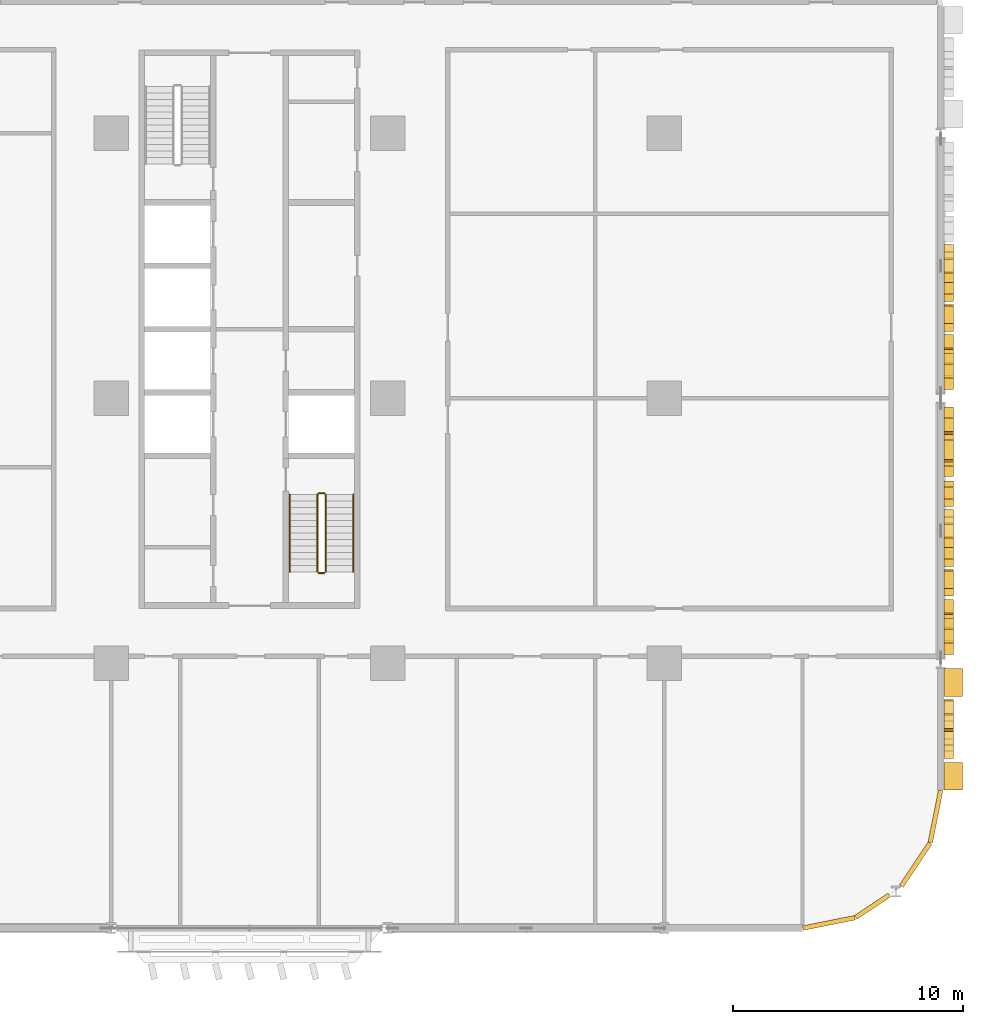
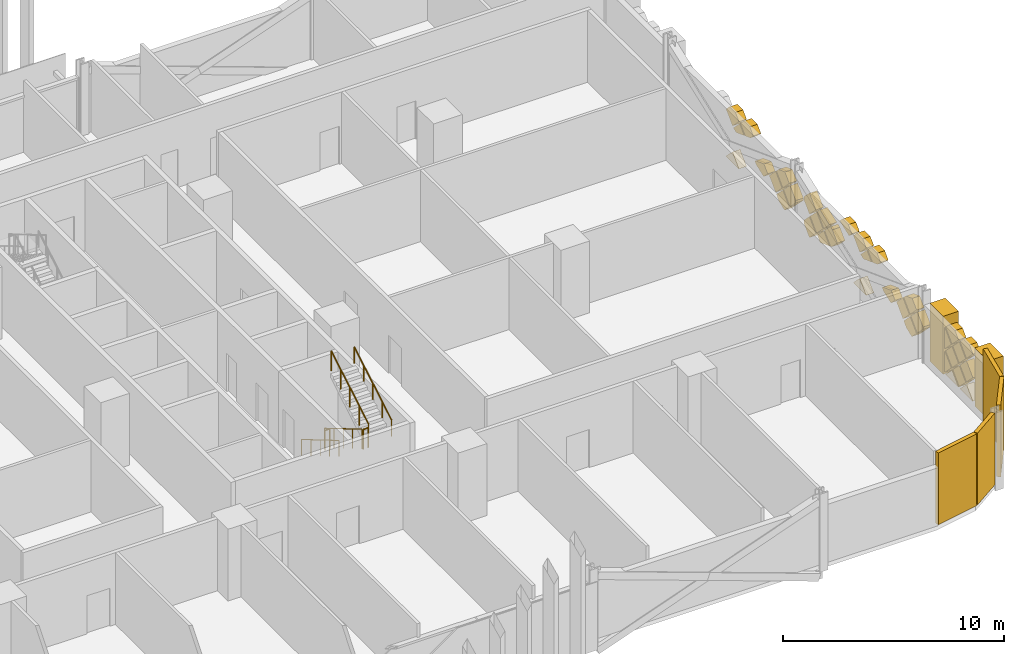
# One storey, part 27 of 29: 41 coverings, 6 railings.
"""IFC4 building model written with IfcOpenShell, lengths in metres."""

from ifc_helpers import new_model, si_unit, direction, frame, origin, origin_2d, place, context, subcontext, project, spatial, polyline, rectangle, circle, outline, extrude, material, layer, layer_set, type_object, element, save


model = new_model("IFC4")

# Units and contexts
model_context = context("Model", 3, precision=1e-05, world=origin(), true_north=direction((0.0, 1.0)))
body_context = subcontext(model_context, "Body", "Model", "MODEL_VIEW")
ifc_project = project(units=[si_unit("LENGTHUNIT", "METRE"), si_unit("AREAUNIT", "SQUARE_METRE"), si_unit("VOLUMEUNIT", "CUBIC_METRE"), si_unit("PLANEANGLEUNIT", "RADIAN"), si_unit("MASSUNIT", "GRAM", prefix="KILO")], contexts=[model_context])

# Site, building, storey
site_placement = place(None, origin())
site = spatial("IfcSite", under=ifc_project, at=site_placement, CompositionType="ELEMENT")
building_placement = place(site_placement, origin())
building = spatial("IfcBuilding", under=site, at=building_placement, Name="Mahtab Terrace Research Tower", CompositionType="ELEMENT")
storey_placement = place(building_placement, frame((0.0, 0.0, 46.0)))
storey = spatial("IfcBuildingStorey", under=building, at=storey_placement, Name="L10", CompositionType="ELEMENT", Elevation=46.0)

# Coverings
ifc_material_1 = material(Name="Black aluminium cladding panel", Category="aluminium")
ifc_layer_1 = layer(ifc_material_1, 0.199951171875)
ifc_layer_set_1 = layer_set([ifc_layer_1], Name="Black metal corner cladding 200")
covering_type_1 = type_object("IfcCoveringType", Name="Black metal corner cladding 200", PredefinedType="CLADDING", material=ifc_layer_set_1)
covering_1_placement = place(storey_placement, frame((49.14794921875, -22.771484375, 0.0), z_axis=(0.0, 0.0, 1.0), x_axis=(0.980760981187, 0.195212442692, 0.0)))
element("IfcCovering", 1, at=covering_1_placement, inside=storey, type_object=covering_type_1, Name="Corner cladding L10 31", PredefinedType="CLADDING", context=body_context, shape_type="SweptSolid", body=[
    extrude(rectangle(XDim=2.30126953125, YDim=0.199951171875, at=origin_2d()), origin(), (0.0, 0.0, 1.0), 3.9599609375),
])
covering_2_placement = place(storey_placement, frame((51.0380859375, -22.047607421875, 0.0), z_axis=(0.0, 0.0, 1.0), x_axis=(0.831655794326, 0.555291490808, 0.0)))
element("IfcCovering", 2, at=covering_2_placement, inside=storey, type_object=covering_type_1, Name="Corner cladding L10 32", PredefinedType="CLADDING", context=body_context, shape_type="SweptSolid", body=[
    extrude(rectangle(XDim=1.74462890625, YDim=0.199951171875, at=origin_2d()), origin(), (0.0, 0.0, 1.0), 3.9599609375),
])
covering_3_placement = place(storey_placement, frame((52.911376953125, -20.2421875, 0.0), z_axis=(0.0, 0.0, 1.0), x_axis=(0.555291490808, 0.831655794326, 0.0)))
element("IfcCovering", 3, at=covering_3_placement, inside=storey, type_object=covering_type_1, Name="Corner cladding L10 33", PredefinedType="CLADDING", context=body_context, shape_type="SweptSolid", body=[
    extrude(rectangle(XDim=2.235595703125, YDim=0.199951171875, at=origin_2d()), origin(), (0.0, 0.0, 1.0), 3.9599609375),
])
covering_4_placement = place(storey_placement, frame((53.771484375, -18.14794921875, 0.0), z_axis=(0.0, 0.0, 1.0), x_axis=(0.195212442692, 0.980760981187, 0.0)))
element("IfcCovering", 4, at=covering_4_placement, inside=storey, type_object=covering_type_1, Name="Corner cladding L10 34", PredefinedType="CLADDING", context=body_context, shape_type="SweptSolid", body=[
    extrude(rectangle(XDim=2.30126953125, YDim=0.199951171875, at=origin_2d()), origin(), (0.0, 0.0, 1.0), 3.9599609375),
])
ifc_material_2 = material(Name="Bronze anodised aluminium", Category="aluminium")
ifc_layer_2 = layer(ifc_material_2, 0.39990234375)
ifc_layer_set_2 = layer_set([ifc_layer_2], Name="Mashrabiya relief panel 400")
covering_type_2 = type_object("IfcCoveringType", Name="Mashrabiya relief panel 400", PredefinedType="CLADDING", material=ifc_layer_set_2)
covering_5_placement = place(storey_placement, frame((54.14990234375, -15.6298828125, 0.14990234375), z_axis=(-1.0, 0.0, 0.0), x_axis=(0.0, 0.706957932274, 0.707255598772)))
element("IfcCovering", 5, at=covering_5_placement, inside=storey, type_object=covering_type_2, Name="Mashrabiya lattice cell L10 E35.1", PredefinedType="CLADDING", context=body_context, shape_type="SweptSolid", body=[
    extrude(outline(polyline([(0.0, 0.0), (0.8201817362875763, 0.0), (0.8200090664636573, 0.8203543334390104), (0.7987751838156829, 0.8201772305935179), (-4.43302157367674e-06, 0.021061285496540252), (0.0, 0.0)])), origin(), (0.0, 0.0, -1.0), 0.39990234375),
])
covering_6_placement = place(storey_placement, frame((54.14990234375, -15.050048828125, 2.030029296875), z_axis=(-1.0, 0.0, 0.0), x_axis=(0.0, 0.707106781187, -0.707106781187)))
element("IfcCovering", 6, at=covering_6_placement, inside=storey, type_object=covering_type_2, Name="Mashrabiya lattice cell L10 E35.2", PredefinedType="CLADDING", context=body_context, shape_type="SweptSolid", body=[
    extrude(outline(polyline([(0.0, 0.0), (0.8203543516109556, 0.0), (0.820181718119455, 0.820181718119455), (0.0001726334915006511, 0.820181718119455), (0.0, 0.0)])), origin(), (0.0, 0.0, -1.0), 0.39990234375),
])
covering_7_placement = place(storey_placement, frame((54.14990234375, -14.469970703125, 2.75), z_axis=(-1.0, 0.0, 0.0), x_axis=(0.0, -0.707106781187, -0.707106781187)))
element("IfcCovering", 7, at=covering_7_placement, inside=storey, type_object=covering_type_2, Name="Mashrabiya lattice cell L10 E35.3", PredefinedType="CLADDING", context=body_context, shape_type="SweptSolid", body=[
    extrude(outline(polyline([(0.0, 0.0), (0.8203543516109556, 0.0), (0.820181718119455, 0.820181718119455), (0.37047147276033476, 0.8203543516109556), (0.0, 0.44988287885062084), (0.0, 0.0)])), origin(), (0.0, 0.0, -1.0), 0.39990234375),
])
for number, where, z_axis, x_axis, name in (
    (8, (54.14990234375, -14.39990234375, 1.3798828125), (-1.0, 0.0, 0.0), (0.0, 0.707106781187, -0.707106781187), "Mashrabiya lattice cell L10 E35.4"),
    (9, (54.14990234375, -14.39990234375, 2.679931640625), (-1.0, 0.0, 0.0), (0.0, 0.707106781187, -0.707106781187), "Mashrabiya lattice cell L10 E35.5"),
):
    element("IfcCovering", number, at=place(storey_placement, frame(where, z_axis=z_axis, x_axis=x_axis)), inside=storey, type_object=covering_type_2, Name=name, PredefinedType="CLADDING", context=body_context, shape_type="SweptSolid", body=[
        extrude(outline(polyline([(0.0, 0.0), (0.8200090846279543, 0.0), (0.820181718119455, 0.820181718119455), (-0.0001726334915006511, 0.820181718119455), (0.0, 0.0)])), origin(), (0.0, 0.0, -1.0), 0.39990234375),
    ])
covering_8_placement = place(storey_placement, frame((54.14990234375, -14.330078125, 0.14990234375), z_axis=(-1.0, 0.0, 0.0), x_axis=(0.0, 0.707106781187, 0.707106781187)))
element("IfcCovering", 10, at=covering_8_placement, inside=storey, type_object=covering_type_2, Name="Mashrabiya lattice cell L10 E35.6", PredefinedType="CLADDING", context=body_context, shape_type="SweptSolid", body=[
    extrude(outline(polyline([(0.0, 0.0), (0.8203543516109556, 0.0), (0.8203543516109556, 0.8203543516109556), (0.7991204321563791, 0.820181718119455), (0.00017263349150062335, 0.021233919454576502), (0.0, 0.0)])), origin(), (0.0, 0.0, -1.0), 0.39990234375),
])
covering_9_placement = place(storey_placement, frame((54.14990234375, -13.75, 2.030029296875), z_axis=(-1.0, 0.0, 0.0), x_axis=(0.0, 0.707106781187, -0.707106781187)))
element("IfcCovering", 11, at=covering_9_placement, inside=storey, type_object=covering_type_2, Name="Mashrabiya lattice cell L10 E35.7", PredefinedType="CLADDING", context=body_context, shape_type="SweptSolid", body=[
    extrude(outline(polyline([(0.0, 0.0), (0.8203543516109556, 0.0), (0.820181718119455, 0.820181718119455), (0.0, 0.8203543516109556), (0.0, 0.0)])), origin(), (0.0, 0.0, -1.0), 0.39990234375),
])
covering_10_placement = place(storey_placement, frame((54.14990234375, -13.169921875, 2.75), z_axis=(-1.0, 0.0, 0.0), x_axis=(0.0, -0.707106781187, -0.707106781187)))
element("IfcCovering", 12, at=covering_10_placement, inside=storey, type_object=covering_type_2, Name="Mashrabiya lattice cell L10 E35.8", PredefinedType="CLADDING", context=body_context, shape_type="SweptSolid", body=[
    extrude(outline(polyline([(0.0, 0.0), (0.8203543516109556, 0.0), (0.8203543516109556, 0.8203543516109556), (0.37047147276033476, 0.8203543516109556), (0.0, 0.44988287885062084), (0.0, 0.0)])), origin(), (0.0, 0.0, -1.0), 0.39990234375),
])
for number, where, z_axis, x_axis, name in (
    (13, (54.14990234375, -13.10009765625, 0.219970703125), (-1.0, 0.0, 0.0), (0.0, -0.706957932274, 0.707255598772), "Mashrabiya lattice cell L10 E35.9"),
    (14, (54.14990234375, -13.10009765625, 1.52001953125), (-1.0, 0.0, 0.0), (0.0, -0.706957932274, 0.707255598772), "Mashrabiya lattice cell L10 E35.10"),
):
    element("IfcCovering", number, at=place(storey_placement, frame(where, z_axis=z_axis, x_axis=x_axis)), inside=storey, type_object=covering_type_2, Name=name, PredefinedType="CLADDING", context=body_context, shape_type="SweptSolid", body=[
        extrude(outline(polyline([(0.0, 0.0), (0.8201817362875763, 0.0), (0.8203543334390104, 0.8200090664636573), (0.7822023689987332, 0.8201897302609058), (8.066645814396034e-06, 0.038324634264196196), (0.0, 0.0)])), origin(), (0.0, 0.0, -1.0), 0.39990234375),
    ])
covering_11_placement = place(storey_placement, frame((54.14990234375, -10.612060546875, 2.030029296875), z_axis=(-1.0, 0.0, 0.0), x_axis=(0.0, 0.707106781187, -0.707106781187)))
element("IfcCovering", 15, at=covering_11_placement, inside=storey, type_object=covering_type_2, Name="Mashrabiya lattice cell L10 E36.1", PredefinedType="CLADDING", context=body_context, shape_type="SweptSolid", body=[
    extrude(outline(polyline([(0.0, 0.0), (0.8203543516109556, 0.0), (0.820181718119455, 0.820181718119455), (0.0920136509698315, 0.820181718119455), (0.0001726334915005956, 0.728340700641124), (0.0, 0.0)])), origin(), (0.0, 0.0, -1.0), 0.39990234375),
])
covering_12_placement = place(storey_placement, frame((54.14990234375, -10.5419921875, 0.800048828125), z_axis=(-1.0, 0.0, 0.0), x_axis=(0.0, 0.707255598772, 0.706957932274)))
element("IfcCovering", 16, at=covering_12_placement, inside=storey, type_object=covering_type_2, Name="Mashrabiya lattice cell L10 E36.2", PredefinedType="CLADDING", context=body_context, shape_type="SweptSolid", body=[
    extrude(outline(polyline([(0.0, 0.0), (0.8201817362875763, 0.0), (0.8203543334390104, 0.8200090664636573), (0.47664109581122305, 0.8202540454099666), (0.00012681348600107611, 0.6024908719911924), (0.0, 0.0)])), origin(), (0.0, 0.0, -1.0), 0.39990234375),
])
covering_13_placement = place(storey_placement, frame((54.14990234375, -9.382080078125, 2.10009765625), z_axis=(-1.0, 0.0, 0.0), x_axis=(0.0, -0.706957932274, -0.707255598772)))
element("IfcCovering", 17, at=covering_13_placement, inside=storey, type_object=covering_type_2, Name="Mashrabiya lattice cell L10 E36.3", PredefinedType="CLADDING", context=body_context, shape_type="SweptSolid", body=[
    extrude(outline(polyline([(0.0, 0.0), (0.8201817362875763, 0.0), (0.8200090664636573, 0.8203543334390104), (0.2558428287366611, 0.8202355865988238), (-5.4722381065241965e-05, 0.2599860324408985), (0.0, 0.0)])), origin(), (0.0, 0.0, -1.0), 0.39990234375),
])
covering_14_placement = place(storey_placement, frame((54.14990234375, -9.31201171875, 2.030029296875), z_axis=(-1.0, 0.0, 0.0), x_axis=(0.0, 0.707106781187, -0.707106781187)))
element("IfcCovering", 18, at=covering_14_placement, inside=storey, type_object=covering_type_2, Name="Mashrabiya lattice cell L10 E36.4", PredefinedType="CLADDING", context=body_context, shape_type="SweptSolid", body=[
    extrude(outline(polyline([(0.0, 0.0), (0.8203543516109556, 0.0), (0.820181718119455, 0.820181718119455), (0.0, 0.8203543516109556), (0.0, 0.0)])), origin(), (0.0, 0.0, -1.0), 0.39990234375),
])
covering_15_placement = place(storey_placement, frame((54.14990234375, -8.592041015625, 1.449951171875), z_axis=(-1.0, 0.0, 0.0), x_axis=(0.0, 0.707106781187, 0.707106781187)))
element("IfcCovering", 19, at=covering_15_placement, inside=storey, type_object=covering_type_2, Name="Mashrabiya lattice cell L10 E36.5", PredefinedType="CLADDING", context=body_context, shape_type="SweptSolid", body=[
    extrude(outline(polyline([(0.0, 0.0), (0.48371904318474274, 0.0), (0.8203543516109556, 0.7395618775886644), (0.8203543516109556, 0.8203543516109556), (0.6561799011938642, 0.820181718119455), (0.0001726334915005956, 0.5218710448063801), (0.0, 0.0)])), origin(), (0.0, 0.0, -1.0), 0.39990234375),
])
covering_16_placement = place(storey_placement, frame((54.14990234375, -7.2919921875, 2.75), z_axis=(-1.0, 0.0, 0.0), x_axis=(0.0, 0.706835286964, 0.707378171209)))
element("IfcCovering", 20, at=covering_16_placement, inside=storey, type_object=covering_type_2, Name="Mashrabiya lattice cell L10 E36.6", PredefinedType="CLADDING", context=body_context, shape_type="SweptSolid", body=[
    extrude(outline(polyline([(0.0, 0.0), (0.44971027849414613, 0.0), (0.8202120756404775, 0.37078636073860965), (0.8198668086829157, 0.820496506692657), (0.2018389546474969, 0.8202592599156759), (-0.0001449988681660186, 0.37772205157248506), (0.0, 0.0)])), origin(), (0.0, 0.0, -1.0), 0.39990234375),
])
covering_17_placement = place(storey_placement, frame((54.14990234375, -6.06201171875, 2.679931640625), z_axis=(-1.0, 0.0, 0.0), x_axis=(0.0, 0.707106781187, -0.707106781187)))
element("IfcCovering", 21, at=covering_17_placement, inside=storey, type_object=covering_type_2, Name="Mashrabiya lattice cell L10 E36.7", PredefinedType="CLADDING", context=body_context, shape_type="SweptSolid", body=[
    extrude(outline(polyline([(0.0, 0.0), (0.8131037449679295, 0.0), (0.6970940386795115, 0.25584283440392175), (0.0, 0.5741789927310686), (0.0, 0.0)])), origin(), (0.0, 0.0, -1.0), 0.39990234375),
])
covering_18_placement = place(storey_placement, frame((54.14990234375, -5.991943359375, 0.14990234375), z_axis=(-1.0, 0.0, 0.0), x_axis=(0.0, 0.706957932274, 0.707255598772)))
element("IfcCovering", 22, at=covering_18_placement, inside=storey, type_object=covering_type_2, Name="Mashrabiya lattice cell L10 E36.8", PredefinedType="CLADDING", context=body_context, shape_type="SweptSolid", body=[
    extrude(outline(polyline([(0.0, 0.0), (0.8201817362875763, 0.0), (0.8200090664636573, 0.8203543334390104), (0.798947780967117, 0.8203499004174368), (-4.43302157367674e-06, 0.021061285496540252), (0.0, 0.0)])), origin(), (0.0, 0.0, -1.0), 0.39990234375),
])
covering_19_placement = place(storey_placement, frame((54.14990234375, -4.83203125, 2.75), z_axis=(-1.0, 0.0, 0.0), x_axis=(0.0, -0.707106781187, -0.707106781187)))
element("IfcCovering", 23, at=covering_19_placement, inside=storey, type_object=covering_type_2, Name="Mashrabiya lattice cell L10 E36.9", PredefinedType="CLADDING", context=body_context, shape_type="SweptSolid", body=[
    extrude(outline(polyline([(0.0, 0.0), (0.8203543516109556, 0.0), (0.820181718119455, 0.820181718119455), (0.37047147276033476, 0.8203543516109556), (-0.00017263349150062335, 0.4497102453591202), (0.0, 0.0)])), origin(), (0.0, 0.0, -1.0), 0.39990234375),
])
covering_20_placement = place(storey_placement, frame((54.14990234375, -4.69189453125, 2.75), z_axis=(-1.0, 0.0, 0.0), x_axis=(0.0, 0.706835286964, 0.707378171209)))
element("IfcCovering", 24, at=covering_20_placement, inside=storey, type_object=covering_type_2, Name="Mashrabiya lattice cell L10 E36.10", PredefinedType="CLADDING", context=body_context, shape_type="SweptSolid", body=[
    extrude(outline(polyline([(0.0, 0.0), (0.44971027849414613, 0.0), (0.8200395084317461, 0.3706136609897794), (0.8199004738680292, 0.7327986994719885), (-0.00013731154243143417, 0.35769656803390726), (0.0, 0.0)])), origin(), (0.0, 0.0, -1.0), 0.39990234375),
])
covering_21_placement = place(storey_placement, frame((54.14990234375, -3.39208984375, 1.449951171875), z_axis=(-1.0, 0.0, 0.0), x_axis=(0.0, 0.707293970265, 0.706919542541)))
element("IfcCovering", 25, at=covering_21_placement, inside=storey, type_object=covering_type_2, Name="Mashrabiya lattice cell L10 E36.11", PredefinedType="CLADDING", context=body_context, shape_type="SweptSolid", body=[
    extrude(outline(polyline([(0.0, 0.0), (0.6520367202511042, 0.0), (0.8203745251354206, 0.07608680323692152), (0.8205715201903027, 0.8201371255263586), (0.03854183110186876, 0.8203441760132764), (0.00019470972941931786, 0.7354186480169378), (0.0, 0.0)])), origin(), (0.0, 0.0, -1.0), 0.39990234375),
])
covering_22_placement = place(storey_placement, frame((54.14990234375, -2.162109375, 1.3798828125), z_axis=(-1.0, 0.0, 0.0), x_axis=(0.0, 0.707255598772, -0.706957932274)))
element("IfcCovering", 26, at=covering_22_placement, inside=storey, type_object=covering_type_2, Name="Mashrabiya lattice cell L10 E36.12", PredefinedType="CLADDING", context=body_context, shape_type="SweptSolid", body=[
    extrude(outline(polyline([(0.0, 0.0), (0.8201817362875763, 0.0), (0.820278172674925, 0.36201245999398757), (-0.0001550830825938765, 0.7367997254035556), (0.0, 0.0)])), origin(), (0.0, 0.0, -1.0), 0.39990234375),
])
covering_23_placement = place(storey_placement, frame((54.14990234375, -1.58203125, 2.10009765625), z_axis=(-1.0, 0.0, 0.0), x_axis=(0.0, -0.707106781187, -0.707106781187)))
element("IfcCovering", 27, at=covering_23_placement, inside=storey, type_object=covering_type_2, Name="Mashrabiya lattice cell L10 E36.13", PredefinedType="CLADDING", context=body_context, shape_type="SweptSolid", body=[
    extrude(outline(polyline([(0.0, 0.0), (0.8203543516109556, 0.0), (0.8203543516109555, 0.6984751066115165), (0.0, 0.3252414979871718), (0.0, 0.0)])), origin(), (0.0, 0.0, -1.0), 0.39990234375),
])
covering_24_placement = place(storey_placement, frame((54.14990234375, -1.511962890625, 2.030029296875), z_axis=(-1.0, 0.0, 0.0), x_axis=(0.0, 0.707106781187, -0.707106781187)))
element("IfcCovering", 28, at=covering_24_placement, inside=storey, type_object=covering_type_2, Name="Mashrabiya lattice cell L10 E36.14", PredefinedType="CLADDING", context=body_context, shape_type="SweptSolid", body=[
    extrude(outline(polyline([(0.0, 0.0), (0.8203543516109556, 0.0), (0.820181718119455, 0.820181718119455), (0.0, 0.8203543516109556), (0.0, 0.0)])), origin(), (0.0, 0.0, -1.0), 0.39990234375),
])
covering_25_placement = place(storey_placement, frame((54.14990234375, -0.862060546875, 0.219970703125), z_axis=(-1.0, 0.0, 0.0), x_axis=(0.0, -0.706957932274, 0.707255598772)))
element("IfcCovering", 29, at=covering_25_placement, inside=storey, type_object=covering_type_2, Name="Mashrabiya lattice cell L10 E36.15", PredefinedType="CLADDING", context=body_context, shape_type="SweptSolid", body=[
    extrude(outline(polyline([(0.0, 0.0), (0.8201817362875763, 0.0), (0.8203543334390104, 0.8200090664636573), (0.12895725163063232, 0.8203272266021746), (0.00014556298708318094, 0.6915697516322972), (0.0, 0.0)])), origin(), (0.0, 0.0, -1.0), 0.39990234375),
])
covering_26_placement = place(storey_placement, frame((54.14990234375, -0.862060546875, 1.52001953125), z_axis=(-1.0, 0.0, 0.0), x_axis=(0.0, -0.706957932274, 0.707255598772)))
element("IfcCovering", 30, at=covering_26_placement, inside=storey, type_object=covering_type_2, Name="Mashrabiya lattice cell L10 E36.16", PredefinedType="CLADDING", context=body_context, shape_type="SweptSolid", body=[
    extrude(outline(polyline([(0.0, 0.0), (0.8201817362875763, 0.0), (0.8203543334390104, 0.8200090664636573), (0.12878458180671332, 0.8201546294507405), (0.00014556298708318094, 0.6915697516322972), (0.0, 0.0)])), origin(), (0.0, 0.0, -1.0), 0.39990234375),
])
covering_27_placement = place(storey_placement, frame((54.14990234375, 0.887939453125, 2.030029296875), z_axis=(-1.0, 0.0, 0.0), x_axis=(0.0, 0.707106781187, -0.707106781187)))
element("IfcCovering", 31, at=covering_27_placement, inside=storey, type_object=covering_type_2, Name="Mashrabiya lattice cell L10 E37.1", PredefinedType="CLADDING", context=body_context, shape_type="SweptSolid", body=[
    extrude(outline(polyline([(0.0, 0.0), (0.8203543516109556, 0.0), (0.820181718119455, 0.820181718119455), (0.0920136509698315, 0.820181718119455), (0.0001726334915005956, 0.728340700641124), (0.0, 0.0)])), origin(), (0.0, 0.0, -1.0), 0.39990234375),
])
covering_28_placement = place(storey_placement, frame((54.14990234375, 0.9580078125, 0.800048828125), z_axis=(-1.0, 0.0, 0.0), x_axis=(0.0, 0.707255598772, 0.706957932274)))
element("IfcCovering", 32, at=covering_28_placement, inside=storey, type_object=covering_type_2, Name="Mashrabiya lattice cell L10 E37.2", PredefinedType="CLADDING", context=body_context, shape_type="SweptSolid", body=[
    extrude(outline(polyline([(0.0, 0.0), (0.8201817362875763, 0.0), (0.8203543334390104, 0.8200090664636573), (0.47664109581122305, 0.8202540454099666), (0.00012681348600107611, 0.6024908719911924), (0.0, 0.0)])), origin(), (0.0, 0.0, -1.0), 0.39990234375),
])
covering_29_placement = place(storey_placement, frame((54.14990234375, 2.117919921875, 2.10009765625), z_axis=(-1.0, 0.0, 0.0), x_axis=(0.0, -0.706957932274, -0.707255598772)))
element("IfcCovering", 33, at=covering_29_placement, inside=storey, type_object=covering_type_2, Name="Mashrabiya lattice cell L10 E37.3", PredefinedType="CLADDING", context=body_context, shape_type="SweptSolid", body=[
    extrude(outline(polyline([(0.0, 0.0), (0.8201817362875763, 0.0), (0.8200090664636573, 0.8203543334390104), (0.2558428287366611, 0.8202355865988238), (-5.4722381065241965e-05, 0.2599860324408985), (0.0, 0.0)])), origin(), (0.0, 0.0, -1.0), 0.39990234375),
])
covering_30_placement = place(storey_placement, frame((54.14990234375, 2.18798828125, 2.030029296875), z_axis=(-1.0, 0.0, 0.0), x_axis=(0.0, 0.707106781187, -0.707106781187)))
element("IfcCovering", 34, at=covering_30_placement, inside=storey, type_object=covering_type_2, Name="Mashrabiya lattice cell L10 E37.4", PredefinedType="CLADDING", context=body_context, shape_type="SweptSolid", body=[
    extrude(outline(polyline([(0.0, 0.0), (0.8203543516109556, 0.0), (0.820181718119455, 0.820181718119455), (0.0, 0.8203543516109556), (0.0, 0.0)])), origin(), (0.0, 0.0, -1.0), 0.39990234375),
])
covering_31_placement = place(storey_placement, frame((54.14990234375, 2.907958984375, 1.449951171875), z_axis=(-1.0, 0.0, 0.0), x_axis=(0.0, 0.707106781187, 0.707106781187)))
element("IfcCovering", 35, at=covering_31_placement, inside=storey, type_object=covering_type_2, Name="Mashrabiya lattice cell L10 E37.5", PredefinedType="CLADDING", context=body_context, shape_type="SweptSolid", body=[
    extrude(outline(polyline([(0.0, 0.0), (0.48371904318474274, 0.0), (0.8203543516109556, 0.7395618775886644), (0.8203543516109556, 0.8203543516109556), (0.6561799011938642, 0.820181718119455), (0.0001726334915005956, 0.5218710448063801), (0.0, 0.0)])), origin(), (0.0, 0.0, -1.0), 0.39990234375),
])
covering_32_placement = place(storey_placement, frame((54.14990234375, 4.2080078125, 2.75), z_axis=(-1.0, 0.0, 0.0), x_axis=(0.0, 0.706835286964, 0.707378171209)))
element("IfcCovering", 36, at=covering_32_placement, inside=storey, type_object=covering_type_2, Name="Mashrabiya lattice cell L10 E37.6", PredefinedType="CLADDING", context=body_context, shape_type="SweptSolid", body=[
    extrude(outline(polyline([(0.0, 0.0), (0.44971027849414613, 0.0), (0.8202120756404775, 0.37078636073860965), (0.8198668086829157, 0.820496506692657), (0.2018389546474969, 0.8202592599156759), (-0.0001449988681660186, 0.37772205157248506), (0.0, 0.0)])), origin(), (0.0, 0.0, -1.0), 0.39990234375),
])
covering_33_placement = place(storey_placement, frame((54.14990234375, 5.43798828125, 2.679931640625), z_axis=(-1.0, 0.0, 0.0), x_axis=(0.0, 0.707106781187, -0.707106781187)))
element("IfcCovering", 37, at=covering_33_placement, inside=storey, type_object=covering_type_2, Name="Mashrabiya lattice cell L10 E37.7", PredefinedType="CLADDING", context=body_context, shape_type="SweptSolid", body=[
    extrude(outline(polyline([(0.0, 0.0), (0.8131037449679295, 0.0), (0.6970940386795115, 0.25584283440392175), (0.0, 0.5741789927310686), (0.0, 0.0)])), origin(), (0.0, 0.0, -1.0), 0.39990234375),
])
covering_34_placement = place(storey_placement, frame((54.14990234375, 5.508056640625, 0.14990234375), z_axis=(-1.0, 0.0, 0.0), x_axis=(0.0, 0.706957932274, 0.707255598772)))
element("IfcCovering", 38, at=covering_34_placement, inside=storey, type_object=covering_type_2, Name="Mashrabiya lattice cell L10 E37.8", PredefinedType="CLADDING", context=body_context, shape_type="SweptSolid", body=[
    extrude(outline(polyline([(0.0, 0.0), (0.8201817362875763, 0.0), (0.8200090664636573, 0.8203543334390104), (0.798947780967117, 0.8203499004174368), (-4.43302157367674e-06, 0.021061285496540252), (0.0, 0.0)])), origin(), (0.0, 0.0, -1.0), 0.39990234375),
])
covering_35_placement = place(storey_placement, frame((54.14990234375, 6.66796875, 2.75), z_axis=(-1.0, 0.0, 0.0), x_axis=(0.0, -0.707106781187, -0.707106781187)))
element("IfcCovering", 39, at=covering_35_placement, inside=storey, type_object=covering_type_2, Name="Mashrabiya lattice cell L10 E37.9", PredefinedType="CLADDING", context=body_context, shape_type="SweptSolid", body=[
    extrude(outline(polyline([(0.0, 0.0), (0.8203543516109556, 0.0), (0.820181718119455, 0.820181718119455), (0.37047147276033476, 0.8203543516109556), (-0.00017263349150062335, 0.4497102453591202), (0.0, 0.0)])), origin(), (0.0, 0.0, -1.0), 0.39990234375),
])
ifc_material_3 = material(Name="Glazed ceramic tile cladding", Category="masonry")
ifc_layer_3 = layer(ifc_material_3, 0.800048828125)
ifc_layer_set_3 = layer_set([ifc_layer_3], Name="Pishtaq frame pier 800")
covering_type_3 = type_object("IfcCoveringType", Name="Pishtaq frame pier 800", PredefinedType="CLADDING", material=ifc_layer_set_3)
for number, where, z_axis, x_axis, name in (
    (40, (54.550048828125, -16.39990234375, 0.00048828125), (0.0, 0.0, 1.0), (0.0, 1.0, 0.0), "Pishtaq frame pier 35a"),
    (41, (54.550048828125, -12.337890625, 0.00048828125), (0.0, 0.0, 1.0), (0.0, 1.0, 0.0), "Pishtaq frame pier 35b"),
):
    element("IfcCovering", number, at=place(storey_placement, frame(where, z_axis=z_axis, x_axis=x_axis)), inside=storey, type_object=covering_type_3, Name=name, PredefinedType="CLADDING", context=body_context, shape_type="SweptSolid", body=[
        extrude(rectangle(XDim=1.199951171875, YDim=0.800048828125, at=origin_2d()), origin(), (0.0, 0.0, 1.0), 3.202880859375),
    ])

# Railings
ifc_material_4 = material(Name="Stainless steel AISI 304", Category="steel")
railing_type_1 = type_object("IfcRailingType", Name="Stair guard 1100", PredefinedType="GUARDRAIL", material=ifc_material_4)
railing_1_placement = place(storey_placement, frame((26.949951171875, -4.175048828125, 0.165283203125)))
element("IfcRailing", 42, at=railing_1_placement, inside=storey, type_object=railing_type_1, Name="L10 ST4 stair guard 1", PredefinedType="GUARDRAIL", context=body_context, shape_type="SweptSolid", body=[
    extrude(circle(Radius=0.02392578125, at=origin_2d()), frame((0.0, 0.0, 1.076171875), z_axis=(0.0, -0.861011212953, 0.508585972249), x_axis=(1.0, 0.0, 0.0)), (0.0, 0.0, 1.0), 3.90234375),
    extrude(circle(Radius=0.02099609375, at=origin_2d()), origin(), (0.0, 0.0, 1.0), 1.052001953125),
    extrude(circle(Radius=0.02099609375, at=origin_2d()), frame((0.0, -0.83984375, 0.49609375)), (0.0, 0.0, 1.0), 1.052001953125),
    extrude(circle(Radius=0.02099609375, at=origin_2d()), frame((0.0, -1.679931640625, 0.9921875)), (0.0, 0.0, 1.0), 1.052001953125),
    extrude(circle(Radius=0.02099609375, at=origin_2d()), frame((0.0, -2.52001953125, 1.488525390625)), (0.0, 0.0, 1.0), 1.052001953125),
    extrude(circle(Radius=0.02099609375, at=origin_2d()), frame((0.0, -3.35986328125, 1.984619140625)), (0.0, 0.0, 1.0), 1.052001953125),
])
railing_2_placement = place(storey_placement, frame((27.0, -7.5849609375, 2.14990234375)))
element("IfcRailing", 43, at=railing_2_placement, inside=storey, type_object=railing_type_1, Name="L10 ST4 stair guard 2", PredefinedType="GUARDRAIL", context=body_context, shape_type="SweptSolid", body=[
    extrude(circle(Radius=0.02392578125, at=origin_2d()), frame((0.0, 0.0, 1.076171875), z_axis=(1.0, 0.0, 0.0), x_axis=(0.0, 1.0, 0.0)), (0.0, 0.0, 1.0), 0.25),
    extrude(circle(Radius=0.02099609375, at=origin_2d()), origin(), (0.0, 0.0, 1.0), 1.052001953125),
    extrude(circle(Radius=0.02099609375, at=origin_2d()), frame((0.25, 0.0, 0.0)), (0.0, 0.0, 1.0), 1.052001953125),
])
railing_3_placement = place(storey_placement, frame((27.300048828125, -7.534912109375, 2.3154296875)))
element("IfcRailing", 44, at=railing_3_placement, inside=storey, type_object=railing_type_1, Name="L10 ST4 stair guard 3", PredefinedType="GUARDRAIL", context=body_context, shape_type="SweptSolid", body=[
    extrude(circle(Radius=0.02392578125, at=origin_2d()), frame((0.0, 0.0, 1.076171875), z_axis=(0.0, 0.861011212953, 0.508585972249), x_axis=(-1.0, 0.0, 0.0)), (0.0, 0.0, 1.0), 3.90234375),
    extrude(circle(Radius=0.02099609375, at=origin_2d()), origin(), (0.0, 0.0, 1.0), 1.052001953125),
    extrude(circle(Radius=0.02099609375, at=origin_2d()), frame((0.0, 0.83984375, 0.49609375)), (0.0, 0.0, 1.0), 1.052001953125),
    extrude(circle(Radius=0.02099609375, at=origin_2d()), frame((0.0, 1.679931640625, 0.9921875)), (0.0, 0.0, 1.0), 1.052001953125),
    extrude(circle(Radius=0.02099609375, at=origin_2d()), frame((0.0, 2.52001953125, 1.488525390625)), (0.0, 0.0, 1.0), 1.052001953125),
    extrude(circle(Radius=0.02099609375, at=origin_2d()), frame((0.0, 3.35986328125, 1.984619140625)), (0.0, 0.0, 1.0), 1.052001953125),
])
railing_4_placement = place(storey_placement, frame((27.0, -4.125, 0.0)))
element("IfcRailing", 45, at=railing_4_placement, inside=storey, type_object=railing_type_1, Name="L10 ST4 stair guard 4", PredefinedType="GUARDRAIL", context=body_context, shape_type="SweptSolid", body=[
    extrude(circle(Radius=0.02392578125, at=origin_2d()), frame((0.0, 0.0, 1.076171875), z_axis=(1.0, 0.0, 0.0), x_axis=(0.0, 1.0, 0.0)), (0.0, 0.0, 1.0), 0.25),
    extrude(circle(Radius=0.02099609375, at=origin_2d()), origin(), (0.0, 0.0, 1.0), 1.052001953125),
    extrude(circle(Radius=0.02099609375, at=origin_2d()), frame((0.25, 0.0, 0.0)), (0.0, 0.0, 1.0), 1.052001953125),
])
railing_type_2 = type_object("IfcRailingType", Name="Stair handrail 900", PredefinedType="HANDRAIL", material=ifc_material_4)
railing_5_placement = place(storey_placement, frame((25.75, -4.175048828125, 0.165283203125)))
element("IfcRailing", 46, at=railing_5_placement, inside=storey, type_object=railing_type_2, Name="L10 ST4 stair handrail 1", PredefinedType="HANDRAIL", context=body_context, shape_type="SweptSolid", body=[
    extrude(circle(Radius=0.02392578125, at=origin_2d()), frame((0.0, 0.0, 0.8759765625), z_axis=(0.0, -0.861011212953, 0.508585972249), x_axis=(1.0, 0.0, 0.0)), (0.0, 0.0, 1.0), 3.90234375),
    extrude(circle(Radius=0.02099609375, at=origin_2d()), origin(), (0.0, 0.0, 1.0), 0.851806640625),
    extrude(circle(Radius=0.02099609375, at=origin_2d()), frame((0.0, -0.83984375, 0.49609375)), (0.0, 0.0, 1.0), 0.851806640625),
    extrude(circle(Radius=0.02099609375, at=origin_2d()), frame((0.0, -1.679931640625, 0.9921875)), (0.0, 0.0, 1.0), 0.851806640625),
    extrude(circle(Radius=0.02099609375, at=origin_2d()), frame((0.0, -2.52001953125, 1.488525390625)), (0.0, 0.0, 1.0), 0.851806640625),
    extrude(circle(Radius=0.02099609375, at=origin_2d()), frame((0.0, -3.35986328125, 1.984619140625)), (0.0, 0.0, 1.0), 0.851806640625),
])
railing_6_placement = place(storey_placement, frame((28.5, -7.534912109375, 2.3154296875)))
element("IfcRailing", 47, at=railing_6_placement, inside=storey, type_object=railing_type_2, Name="L10 ST4 stair handrail 2", PredefinedType="HANDRAIL", context=body_context, shape_type="SweptSolid", body=[
    extrude(circle(Radius=0.02392578125, at=origin_2d()), frame((0.0, 0.0, 0.8759765625), z_axis=(0.0, 0.861011212953, 0.508585972249), x_axis=(-1.0, 0.0, 0.0)), (0.0, 0.0, 1.0), 3.90234375),
    extrude(circle(Radius=0.02099609375, at=origin_2d()), origin(), (0.0, 0.0, 1.0), 0.851806640625),
    extrude(circle(Radius=0.02099609375, at=origin_2d()), frame((0.0, 0.83984375, 0.49609375)), (0.0, 0.0, 1.0), 0.851806640625),
    extrude(circle(Radius=0.02099609375, at=origin_2d()), frame((0.0, 1.679931640625, 0.9921875)), (0.0, 0.0, 1.0), 0.851806640625),
    extrude(circle(Radius=0.02099609375, at=origin_2d()), frame((0.0, 2.52001953125, 1.488525390625)), (0.0, 0.0, 1.0), 0.851806640625),
    extrude(circle(Radius=0.02099609375, at=origin_2d()), frame((0.0, 3.35986328125, 1.984619140625)), (0.0, 0.0, 1.0), 0.851806640625),
])

save(model, "model.ifc")
